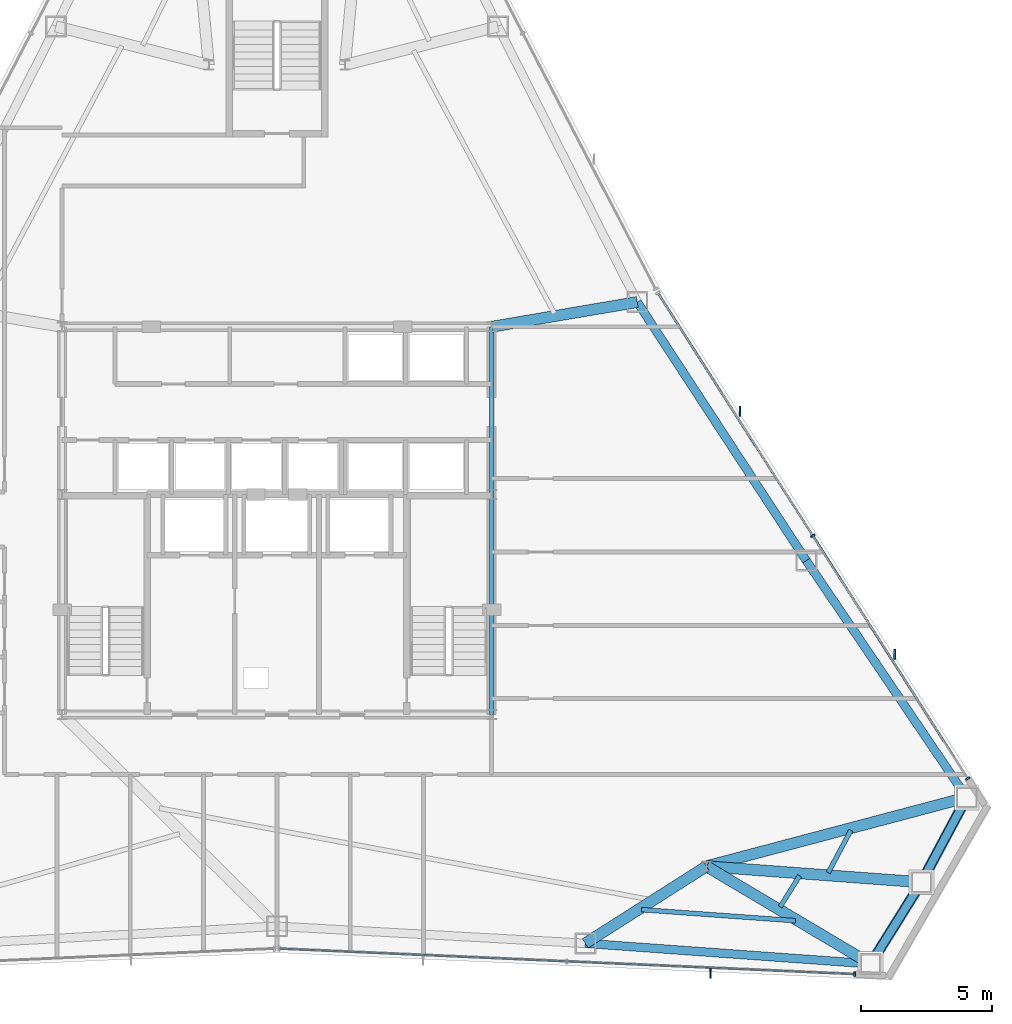
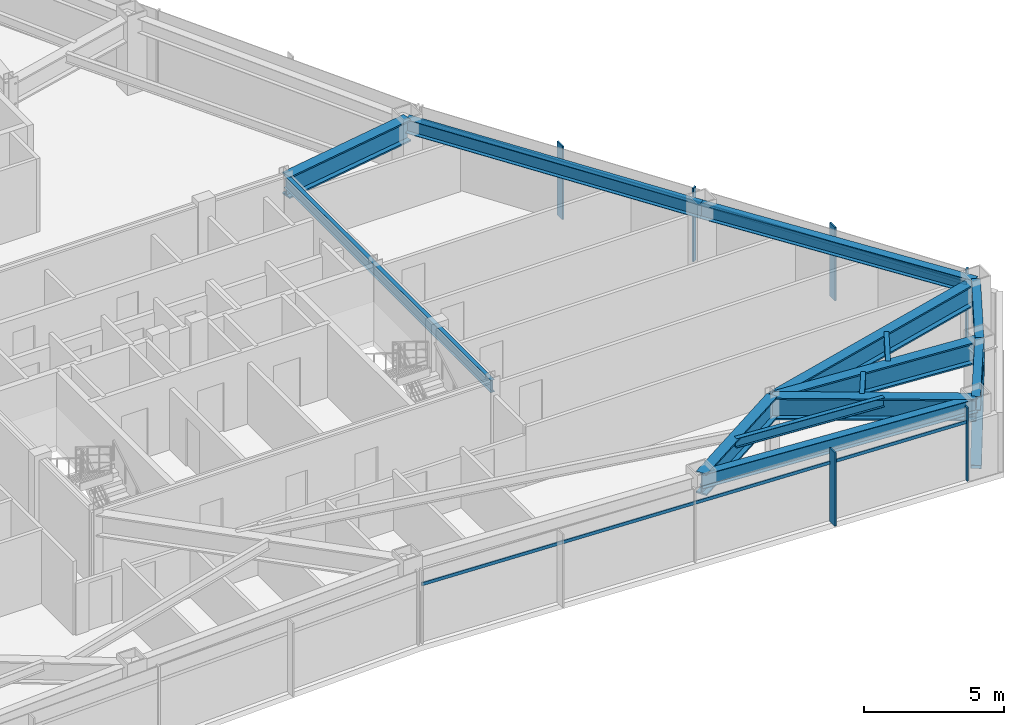
# One storey, part 7 of 13: 14 beams, 10 members, 2 elements without a shape of their own.
"""IFC4 building model written with IfcOpenShell, lengths in metres."""

from ifc_helpers import new_model, si_unit, direction, frame, origin, origin_2d, place, context, subcontext, project, spatial, rectangle, hollow_rectangle, i_section, extrude, source, transform, mapped, material, layer, layer_set, material_profile, profile_set, type_object, type_shapes, element, aggregate, save


model = new_model("IFC4")

# Units and contexts
model_context = context("Model", 3, precision=1e-05, world=origin(), true_north=direction((0.0, 1.0)))
body_context = subcontext(model_context, "Body", "Model", "MODEL_VIEW")
ifc_project = project(units=[si_unit("LENGTHUNIT", "METRE"), si_unit("AREAUNIT", "SQUARE_METRE"), si_unit("VOLUMEUNIT", "CUBIC_METRE"), si_unit("PLANEANGLEUNIT", "RADIAN"), si_unit("MASSUNIT", "GRAM", prefix="KILO")], contexts=[model_context])

# Site, building, storey
site_placement = place(None, origin())
site = spatial("IfcSite", under=ifc_project, at=site_placement, CompositionType="ELEMENT")
building_placement = place(site_placement, origin())
building = spatial("IfcBuilding", under=site, at=building_placement, Name="Varakhsha Concourse Tower", CompositionType="ELEMENT")
storey_placement = place(building_placement, frame((0.0, 0.0, 182.699951171875)))
storey = spatial("IfcBuildingStorey", under=building, at=storey_placement, Name="L52", CompositionType="ELEMENT", Elevation=182.699951171875)

# Beams
ifc_material_1 = material(Name="Structural Steel ASTM A992 Grade 50", Category="steel")
ifc_material_profile_1 = material_profile(ifc_material_1, i_section(OverallWidth=0.177978515625, OverallDepth=0.406982421875, WebThickness=0.008056640625, FlangeThickness=0.012939453125, at=origin_2d()), Name="W16X40")
ifc_profile_set_1 = profile_set([ifc_material_profile_1], Name="Structural Steel ASTM A992 Grade 50")
beam_type_1 = type_object("IfcBeamType", Name="BM-JST-W16X40", PredefinedType="JOIST", material=ifc_profile_set_1)
beam_1_placement = place(storey_placement, frame((53.919921875, 8.9453125, 3.006591796875), z_axis=(0.99741309669, -0.071882644298, 0.0), x_axis=(0.071882644298, 0.99741309669, 0.0)))
element("IfcBeam", 1, at=beam_1_placement, inside=storey, type_object=beam_type_1, Name="BM-TJST-L52-12", PredefinedType="JOIST", context=body_context, shape_type="SweptSolid", body=[
    extrude(i_section(OverallWidth=0.177978515625, OverallDepth=0.406982421875, WebThickness=0.008056640625, FlangeThickness=0.012939453125, at=origin_2d()), origin(), (0.0, 0.0, 1.0), 5.89599609375),
])
beam_2_placement = place(storey_placement, frame((59.216552734375, 9.05419921875, 3.006591796875), z_axis=(0.528881928693, 0.848695413857, 0.0), x_axis=(-0.848695413857, 0.528881928693, 0.0)))
element("IfcBeam", 2, at=beam_2_placement, inside=storey, type_object=beam_type_1, Name="BM-TJST-L52-13", PredefinedType="JOIST", context=body_context, shape_type="SweptSolid", body=[
    extrude(i_section(OverallWidth=0.177978515625, OverallDepth=0.406982421875, WebThickness=0.008056640625, FlangeThickness=0.012939453125, at=origin_2d()), origin(), (0.0, 0.0, 1.0), 1.3955078125),
])
beam_3_placement = place(storey_placement, frame((61.0498046875, 10.35595703125, 3.006591796875), z_axis=(0.470615835547, 0.882338220487, 0.0), x_axis=(-0.882338220487, 0.470615835547, 0.0)))
element("IfcBeam", 3, at=beam_3_placement, inside=storey, type_object=beam_type_1, Name="BM-TJST-L52-14", PredefinedType="JOIST", context=body_context, shape_type="SweptSolid", body=[
    extrude(i_section(OverallWidth=0.177978515625, OverallDepth=0.406982421875, WebThickness=0.008056640625, FlangeThickness=0.012939453125, at=origin_2d()), origin(), (0.0, 0.0, 1.0), 1.83642578125),
])
ifc_material_profile_2 = material_profile(ifc_material_1, i_section(OverallWidth=0.423095703125, OverallDepth=0.947998046875, WebThickness=0.0380859375, FlangeThickness=0.06396484375, at=origin_2d()), Name="W36X302")
ifc_profile_set_2 = profile_set([ifc_material_profile_2], Name="Structural Steel ASTM A992 Grade 50")
beam_type_2 = type_object("IfcBeamType", Name="BM-OUTR-W36X302", PredefinedType="USERDEFINED", material=ifc_profile_set_2)
beam_4_placement = place(storey_placement, frame((56.39990234375, 10.60009765625, 2.736083984375), z_axis=(-0.843843041269, -0.536590087218, 0.0), x_axis=(0.536590087218, -0.843843041269, 0.0)))
element("IfcBeam", 4, at=beam_4_placement, inside=storey, type_object=beam_type_2, Name="L52 Radial Floor Girder 12", ObjectType="GIRDER", PredefinedType="USERDEFINED", context=body_context, shape_type="SweptSolid", body=[
    extrude(i_section(OverallWidth=0.423095703125, OverallDepth=0.947998046875, WebThickness=0.0380859375, FlangeThickness=0.06396484375, at=origin_2d()), origin(), (0.0, 0.0, 1.0), 5.480224609375),
])
beam_5_placement = place(storey_placement, frame((56.39990234375, 10.60009765625, 2.736083984375), z_axis=(0.859653517762, -0.510877509193, 0.0), x_axis=(0.510877509193, 0.859653517762, 0.0)))
element("IfcBeam", 5, at=beam_5_placement, inside=storey, type_object=beam_type_2, Name="L52 Radial Floor Girder 13", ObjectType="GIRDER", PredefinedType="USERDEFINED", context=body_context, shape_type="SweptSolid", body=[
    extrude(i_section(OverallWidth=0.423095703125, OverallDepth=0.947998046875, WebThickness=0.0380859375, FlangeThickness=0.06396484375, at=origin_2d()), origin(), (0.0, 0.0, 1.0), 7.29248046875),
])
beam_6_placement = place(storey_placement, frame((56.39990234375, 10.60009765625, 2.736083984375), z_axis=(0.997259576834, -0.073982000601, 0.0), x_axis=(0.073982000601, 0.997259576834, 0.0)))
element("IfcBeam", 6, at=beam_6_placement, inside=storey, type_object=beam_type_2, Name="L52 Radial Floor Girder 14", ObjectType="GIRDER", PredefinedType="USERDEFINED", context=body_context, shape_type="SweptSolid", body=[
    extrude(i_section(OverallWidth=0.423095703125, OverallDepth=0.947998046875, WebThickness=0.0380859375, FlangeThickness=0.06396484375, at=origin_2d()), origin(), (0.0, 0.0, 1.0), 8.2333984375),
])
beam_7_placement = place(storey_placement, frame((56.39990234375, 10.60009765625, 2.736083984375), z_axis=(0.966706264469, 0.255888644213, 0.0), x_axis=(-0.255888644213, 0.966706264469, 0.0)))
element("IfcBeam", 7, at=beam_7_placement, inside=storey, type_object=beam_type_2, Name="L52 Radial Floor Girder 15", ObjectType="GIRDER", PredefinedType="USERDEFINED", context=body_context, shape_type="SweptSolid", body=[
    extrude(i_section(OverallWidth=0.423095703125, OverallDepth=0.947998046875, WebThickness=0.0380859375, FlangeThickness=0.06396484375, at=origin_2d()), origin(), (0.0, 0.0, 1.0), 10.28125),
])
beam_8_placement = place(storey_placement, frame((48.199951171875, 31.199951171875, 2.736083984375), z_axis=(0.985890879111, 0.167389290235, 0.0), x_axis=(-0.167389290235, 0.985890879111, 0.0)))
element("IfcBeam", 8, at=beam_8_placement, inside=storey, type_object=beam_type_2, Name="L52 Radial Floor Girder 17", ObjectType="GIRDER", PredefinedType="USERDEFINED", context=body_context, shape_type="SweptSolid", body=[
    extrude(i_section(OverallWidth=0.423095703125, OverallDepth=0.947998046875, WebThickness=0.0380859375, FlangeThickness=0.06396484375, at=origin_2d()), origin(), (0.0, 0.0, 1.0), 5.638671875),
])
ifc_material_profile_3 = material_profile(ifc_material_1, i_section(OverallWidth=0.1669921875, OverallDepth=0.534912109375, WebThickness=0.010009765625, FlangeThickness=0.01708984375, at=origin_2d()), Name="W21X57")
ifc_profile_set_3 = profile_set([ifc_material_profile_3], Name="Structural Steel ASTM A992 Grade 50")
beam_type_3 = type_object("IfcBeamType", Name="BM-RAD-W21X57", PredefinedType="BEAM", material=ifc_profile_set_3)
beam_9_placement = place(storey_placement, frame((48.199951171875, 16.39990234375, 2.942626953125), z_axis=(0.0, 1.0, 0.0), x_axis=(-1.0, 0.0, 0.0)))
element("IfcBeam", 9, at=beam_9_placement, inside=storey, type_object=beam_type_3, Name="BM-TCORE-L52-CE", PredefinedType="BEAM", context=body_context, shape_type="SweptSolid", body=[
    extrude(i_section(OverallWidth=0.1669921875, OverallDepth=0.534912109375, WebThickness=0.010009765625, FlangeThickness=0.01708984375, at=origin_2d()), origin(), (0.0, 0.0, 1.0), 14.800048828125),
])
ifc_material_profile_4 = material_profile(ifc_material_1, i_section(OverallWidth=0.323974609375, OverallDepth=0.611083984375, WebThickness=0.012939453125, FlangeThickness=0.01904296875, at=origin_2d()), Name="W24X104")
ifc_profile_set_4 = profile_set([ifc_material_profile_4], Name="Structural Steel ASTM A992 Grade 50")
beam_type_4 = type_object("IfcBeamType", Name="BM-SPAN-W24X104", PredefinedType="SPANDREL", material=ifc_profile_set_4)
beam_10_placement = place(storey_placement, frame((51.775390625, 7.659423828125, 2.904541015625), z_axis=(0.997414254254, -0.071866580624, 0.0), x_axis=(0.071866580624, 0.997414254254, 0.0)))
element("IfcBeam", 10, at=beam_10_placement, inside=storey, type_object=beam_type_4, Name="BM-SPAN-L52-12", PredefinedType="SPANDREL", context=body_context, shape_type="SweptSolid", body=[
    extrude(i_section(OverallWidth=0.323974609375, OverallDepth=0.611083984375, WebThickness=0.012939453125, FlangeThickness=0.01904296875, at=origin_2d()), origin(), (0.0, 0.0, 1.0), 10.921875),
])
beam_11_placement = place(storey_placement, frame((62.6689453125, 6.87451171875, 2.904541015625), z_axis=(0.528844996181, 0.848718427993, 0.0), x_axis=(-0.848718427993, 0.528844996181, 0.0)))
element("IfcBeam", 11, at=beam_11_placement, inside=storey, type_object=beam_type_4, Name="BM-SPAN-L52-13", PredefinedType="SPANDREL", context=body_context, shape_type="SweptSolid", body=[
    extrude(i_section(OverallWidth=0.323974609375, OverallDepth=0.611083984375, WebThickness=0.012939453125, FlangeThickness=0.01904296875, at=origin_2d()), origin(), (0.0, 0.0, 1.0), 3.671875),
])
beam_12_placement = place(storey_placement, frame((64.61083984375, 9.990966796875, 2.904541015625), z_axis=(0.470595137047, 0.882349260207, 0.0), x_axis=(-0.882349260207, 0.470595137047, 0.0)))
element("IfcBeam", 12, at=beam_12_placement, inside=storey, type_object=beam_type_4, Name="BM-SPAN-L52-14", PredefinedType="SPANDREL", context=body_context, shape_type="SweptSolid", body=[
    extrude(i_section(OverallWidth=0.323974609375, OverallDepth=0.611083984375, WebThickness=0.012939453125, FlangeThickness=0.01904296875, at=origin_2d()), origin(), (0.0, 0.0, 1.0), 3.672119140625),
])
beam_13_placement = place(storey_placement, frame((66.3388671875, 13.23095703125, 2.904541015625), z_axis=(-0.560946995481, 0.827851718764, 0.0), x_axis=(-0.827851718764, -0.560946995481, 0.0)))
element("IfcBeam", 13, at=beam_13_placement, inside=storey, type_object=beam_type_4, Name="BM-SPAN-L52-15", PredefinedType="SPANDREL", context=body_context, shape_type="SweptSolid", body=[
    extrude(i_section(OverallWidth=0.323974609375, OverallDepth=0.611083984375, WebThickness=0.012939453125, FlangeThickness=0.01904296875, at=origin_2d()), origin(), (0.0, 0.0, 1.0), 10.921630859375),
])
beam_14_placement = place(storey_placement, frame((60.21240234375, 22.2724609375, 2.904541015625), z_axis=(-0.547191913487, 0.837007174291, 0.0), x_axis=(-0.837007174291, -0.547191913487, 0.0)))
element("IfcBeam", 14, at=beam_14_placement, inside=storey, type_object=beam_type_4, Name="BM-SPAN-L52-16", PredefinedType="SPANDREL", context=body_context, shape_type="SweptSolid", body=[
    extrude(i_section(OverallWidth=0.323974609375, OverallDepth=0.611083984375, WebThickness=0.012939453125, FlangeThickness=0.01904296875, at=origin_2d()), origin(), (0.0, 0.0, 1.0), 11.793701171875),
])

# Members
ifc_material_2 = material(Name="Structural Steel ASTM A500 Grade C", Category="steel")
ifc_material_profile_5 = material_profile(ifc_material_2, hollow_rectangle(XDim=0.39990234375, YDim=0.39990234375, WallThickness=0.01611328125, at=origin_2d()), Name="HSS 400x400x16")
ifc_profile_set_5 = profile_set([ifc_material_profile_5], Name="Structural Steel ASTM A500 Grade C")
member_type_1 = type_object("IfcMemberType", Name="MB-TUBE-HSS400", PredefinedType="BRACE", material=ifc_profile_set_5)
shared_shape_1 = source(origin(), body_context, "Body", "SweptSolid", [
    extrude(hollow_rectangle(XDim=0.39990234375, YDim=0.39990234375, WallThickness=0.01611328125, at=origin_2d()), origin(), (0.0, 0.0, 1.0), 4.61181640625),
])
member_1_placement = place(storey_placement, frame((66.3388671875, 13.23095703125, 0.1201171875), z_axis=(-0.37470368715, -0.702556178604, 0.60498922531), x_axis=(0.882349260207, -0.470595137047, 0.0)))
element("IfcMember", 15, at=member_1_placement, inside=storey, type_object=member_type_1, Name="L52 Wind-Corner Tube Brace B06", PredefinedType="BRACE", context=body_context, shape_type="MappedRepresentation", body=[
    mapped(shared_shape_1, transform((0.0, 0.0, 0.0), scale=1.0)),
])
shared_shape_2 = source(origin(), body_context, "Body", "SweptSolid", [
    extrude(hollow_rectangle(XDim=0.39990234375, YDim=0.39990234375, WallThickness=0.01611328125, at=origin_2d()), origin(), (0.0, 0.0, 1.0), 4.611572265625),
])
type_shapes(member_type_1, [shared_shape_1, shared_shape_2])
member_2_placement = place(storey_placement, frame((62.6689453125, 6.87451171875, 0.1201171875), z_axis=(0.421082078915, 0.675774797253, 0.604994467921), x_axis=(-0.848718427993, 0.528844996181, 0.0)))
element("IfcMember", 16, at=member_2_placement, inside=storey, type_object=member_type_1, Name="L52 Wind-Corner Tube Brace B05", PredefinedType="BRACE", context=body_context, shape_type="MappedRepresentation", body=[
    mapped(shared_shape_2, transform((0.0, 0.0, 0.0), scale=1.0)),
])

# Curtain wall, member
ifc_material_3 = material(Name="Anodised Bronze Architectural Aluminium AA 6063-T6", Category="aluminium")
ifc_layer = layer(ifc_material_3, 0.2099609375, Name="CW-SYS-04")
ifc_layer_set = layer_set([ifc_layer], Name="Anodised Bronze Architectural Aluminium AA 6063-T6")
curtain_wall_type = type_object("IfcCurtainWallType", Name="CW-SYS-04", PredefinedType="NOTDEFINED", material=ifc_layer_set)
curtain_wall_1_placement = place(storey_placement, origin())
curtain_wall_1 = element("IfcCurtainWall", 17, at=curtain_wall_1_placement, inside=storey, type_object=curtain_wall_type, Name="L52 Crystal Curtain Wall F6", PredefinedType="NOTDEFINED")
ifc_material_profile_6 = material_profile(ifc_material_3, rectangle(XDim=0.06005859375, YDim=0.3798828125, at=origin_2d()), Name="FIN-BRZ-380")
ifc_profile_set_6 = profile_set([ifc_material_profile_6], Name="Anodised Bronze Architectural Aluminium AA 6063-T6")
member_type_2 = type_object("IfcMemberType", Name="FIN-BRZ-380", PredefinedType="USERDEFINED", material=ifc_profile_set_6)
shared_shape_3 = source(origin(), body_context, "Body", "SweptSolid", [
    extrude(rectangle(XDim=0.06005859375, YDim=0.3798828125, at=origin_2d()), origin(), (0.0, 0.0, 1.0), 3.2099609375),
])
type_shapes(member_type_2, [shared_shape_3])
member_3_placement = place(storey_placement, frame((56.558837890625, 6.521484375, 0.0), z_axis=(0.0, 0.0, 1.0), x_axis=(1.0, 0.0, 0.0)))
member_3 = element("IfcMember", 18, at=member_3_placement, type_object=member_type_2, Name="L52 Anodised Bronze Solar Fin F6-1", ObjectType="SOLAR FIN", PredefinedType="USERDEFINED", context=body_context, shape_type="MappedRepresentation", body=[
    mapped(shared_shape_3, transform((0.0, 0.0, 0.0), scale=1.0)),
])

# Curtain wall, members
curtain_wall_2_placement = place(storey_placement, origin())
curtain_wall_2 = element("IfcCurtainWall", 19, at=curtain_wall_2_placement, inside=storey, type_object=curtain_wall_type, Name="L52 Crystal Curtain Wall F8", PredefinedType="NOTDEFINED")
member_4_placement = place(storey_placement, frame((57.674072265625, 27.970703125, 0.0), z_axis=(0.0, 0.0, 1.0), x_axis=(1.0, 0.0, 0.0)))
member_4 = element("IfcMember", 20, at=member_4_placement, type_object=member_type_2, Name="L52 Anodised Bronze Solar Fin F8-1", ObjectType="SOLAR FIN", PredefinedType="USERDEFINED", context=body_context, shape_type="MappedRepresentation", body=[
    mapped(shared_shape_3, transform((0.0, 0.0, 0.0), scale=1.0)),
])
member_5_placement = place(storey_placement, frame((63.589599609375, 18.698974609375, 0.0), z_axis=(0.0, 0.0, 1.0), x_axis=(1.0, 0.0, 0.0)))
member_5 = element("IfcMember", 21, at=member_5_placement, type_object=member_type_2, Name="L52 Anodised Bronze Solar Fin F8-2", ObjectType="SOLAR FIN", PredefinedType="USERDEFINED", context=body_context, shape_type="MappedRepresentation", body=[
    mapped(shared_shape_3, transform((0.0, 0.0, 0.0), scale=1.0)),
])

# Member
ifc_material_profile_7 = material_profile(ifc_material_3, rectangle(XDim=0.06494140625, YDim=0.179931640625, at=origin_2d()), Name="CWM-180X65")
ifc_profile_set_7 = profile_set([ifc_material_profile_7], Name="Anodised Bronze Architectural Aluminium AA 6063-T6")
member_type_3 = type_object("IfcMemberType", Name="CWM-180X65", PredefinedType="MULLION", material=ifc_profile_set_7)
shared_shape_4 = source(origin(), body_context, "Body", "SweptSolid", [
    extrude(rectangle(XDim=0.06494140625, YDim=0.179931640625, at=origin_2d()), origin(), (0.0, 0.0, 1.0), 3.2099609375),
])
type_shapes(member_type_3, [shared_shape_4])
member_6_placement = place(storey_placement, frame((62.0615234375, 6.482666015625, 0.0), z_axis=(0.0, 0.0, 1.0), x_axis=(-0.999018917807, 0.04428545883, 0.0)))
member_6 = element("IfcMember", 22, at=member_6_placement, type_object=member_type_3, Name="CW-L52-F6 Mullion 00", PredefinedType="MULLION", context=body_context, shape_type="MappedRepresentation", body=[
    mapped(shared_shape_4, transform((0.0, 0.0, 0.0), scale=1.0)),
])

member_7_placement = place(storey_placement, frame((60.458984375, 23.224609375, 0.0), z_axis=(0.0, 0.0, 1.0), x_axis=(0.537863262638, -0.84303209352, 0.0)))
member_7 = element("IfcMember", 23, at=member_7_placement, type_object=member_type_3, Name="CW-L52-F8 Mullion 01", PredefinedType="MULLION", context=body_context, shape_type="MappedRepresentation", body=[
    mapped(shared_shape_4, transform((0.0, 0.0, 0.0), scale=1.0)),
])

member_8_placement = place(storey_placement, frame((66.37451171875, 13.952880859375, 0.0), z_axis=(0.0, 0.0, 1.0), x_axis=(0.537863262638, -0.84303209352, 0.0)))
member_8 = element("IfcMember", 24, at=member_8_placement, type_object=member_type_3, Name="CW-L52-F8 Mullion 02", PredefinedType="MULLION", context=body_context, shape_type="MappedRepresentation", body=[
    mapped(shared_shape_4, transform((0.0, 0.0, 0.0), scale=1.0)),
])

ifc_material_profile_8 = material_profile(ifc_material_3, rectangle(XDim=0.06005859375, YDim=0.139892578125, at=origin_2d()), Name="CWT-140X60")
ifc_profile_set_8 = profile_set([ifc_material_profile_8], Name="Anodised Bronze Architectural Aluminium AA 6063-T6")
member_type_4 = type_object("IfcMemberType", Name="CWT-140X60", PredefinedType="USERDEFINED", material=ifc_profile_set_8)
shared_shape_5 = source(origin(), body_context, "Body", "SweptSolid", [
    extrude(rectangle(XDim=0.06005859375, YDim=0.139892578125, at=origin_2d()), origin(), (0.0, 0.0, 1.0), 21.99609375),
])
type_shapes(member_type_4, [shared_shape_5])
member_9_placement = place(storey_placement, frame((62.0615234375, 6.482666015625, 2.56005859375), z_axis=(-0.999018898193, 0.044285901295, 0.0), x_axis=(-0.044285901295, -0.999018898193, 0.0)))
member_9 = element("IfcMember", 25, at=member_9_placement, type_object=member_type_4, Name="CW-L52-F6 Transom 01", ObjectType="TRANSOM", PredefinedType="USERDEFINED", context=body_context, shape_type="MappedRepresentation", body=[
    mapped(shared_shape_5, transform((0.0, 0.0, 0.0), scale=1.0)),
])

aggregate(curtain_wall_1, [member_6, member_9, member_3])

member_10_placement = place(storey_placement, frame((54.54345703125, 32.49609375, 2.56005859375), z_axis=(0.537872683916, -0.843026082572, 0.0), x_axis=(0.843026082572, 0.537872683916, 0.0)))
member_10 = element("IfcMember", 26, at=member_10_placement, type_object=member_type_4, Name="CW-L52-F8 Transom 01", ObjectType="TRANSOM", PredefinedType="USERDEFINED", context=body_context, shape_type="MappedRepresentation", body=[
    mapped(shared_shape_5, transform((0.0, 0.0, 0.0), scale=1.0)),
])

aggregate(curtain_wall_2, [member_7, member_8, member_10, member_4, member_5])

save(model, "model.ifc")
